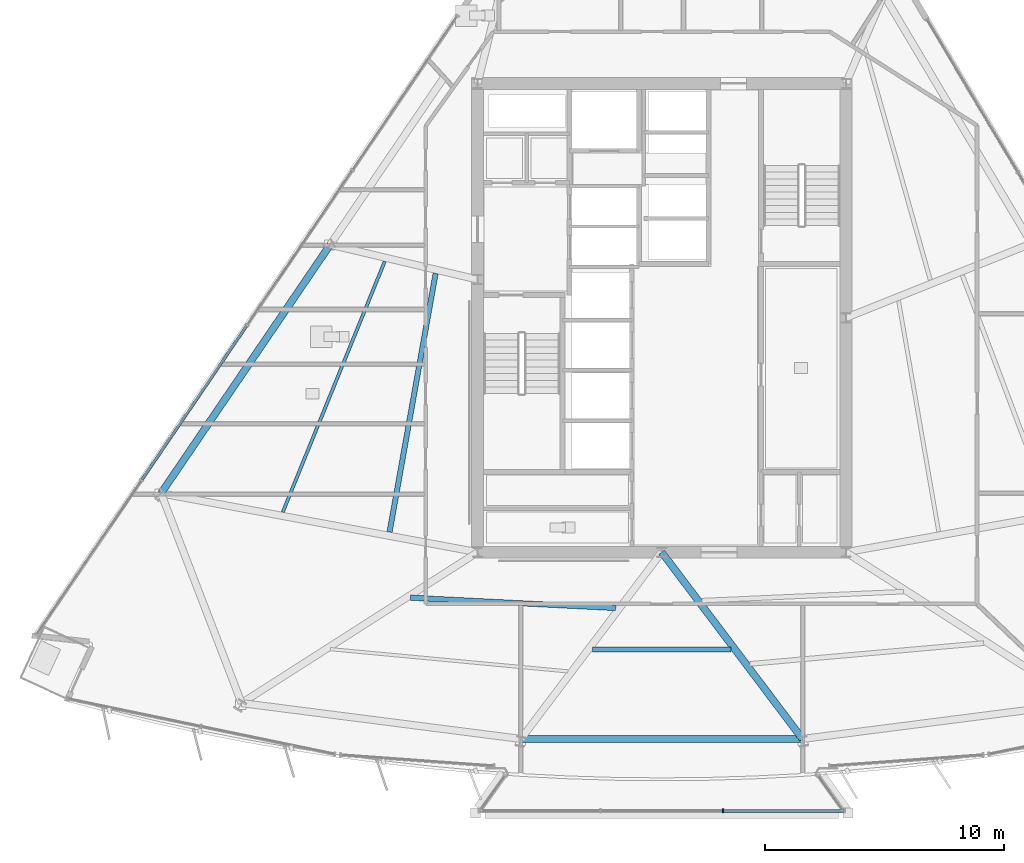
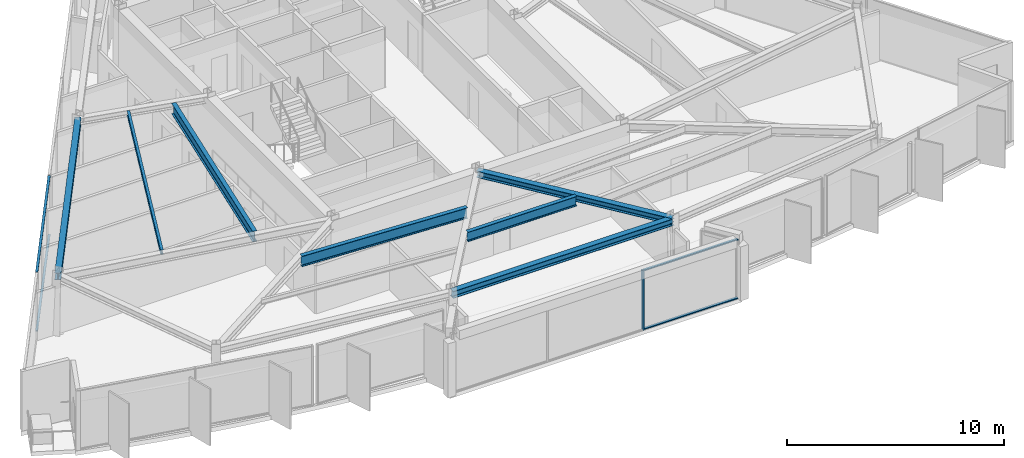
# One storey, part 3 of 15: 7 beams, 5 members, 2 elements without a shape of their own.
"""IFC4 building model written with IfcOpenShell, lengths in metres."""

from ifc_helpers import new_model, si_unit, direction, frame, origin, origin_2d, place, context, subcontext, project, spatial, rectangle, i_section, extrude, material, material_profile, profile_set, type_object, element, aggregate, save


model = new_model("IFC4")

# Units and contexts
model_context = context("Model", 3, precision=1e-05, world=origin(), true_north=direction((0.0, 1.0)))
body_context = subcontext(model_context, "Body", "Model", "MODEL_VIEW")
ifc_project = project(units=[si_unit("LENGTHUNIT", "METRE"), si_unit("AREAUNIT", "SQUARE_METRE"), si_unit("VOLUMEUNIT", "CUBIC_METRE"), si_unit("PLANEANGLEUNIT", "RADIAN"), si_unit("MASSUNIT", "GRAM", prefix="KILO")], contexts=[model_context])

# Site, building, storey
site_placement = place(None, origin())
site = spatial("IfcSite", under=ifc_project, at=site_placement, CompositionType="ELEMENT")
building_placement = place(site_placement, origin())
building = spatial("IfcBuilding", under=site, at=building_placement, Name="Savorim Split Tower", CompositionType="ELEMENT")
storey_placement = place(building_placement, frame((0.0, 0.0, 163.800048828125)))
storey = spatial("IfcBuildingStorey", under=building, at=storey_placement, Name="L43", CompositionType="ELEMENT", Elevation=163.800048828125)

# Beams
ifc_material_1 = material(Name="Steel S355", Category="steel")
ifc_material_profile_1 = material_profile(ifc_material_1, i_section(OverallWidth=0.135009765625, OverallDepth=0.27001953125, WebThickness=0.006591796875, FlangeThickness=0.01025390625, FilletRadius=0.014892578125, at=origin_2d()), Name="IPE 270")
ifc_profile_set_1 = profile_set([ifc_material_profile_1], Name="Steel S355")
beam_type_1 = type_object("IfcBeamType", Name="BM-JST-IPE270", PredefinedType="JOIST", material=ifc_profile_set_1)
beam_1_placement = place(storey_placement, frame((-11.579345703125, 2.756103515625, 3.21484375), z_axis=(-0.37683076392, -0.926282125145, 0.0), x_axis=(0.926282125145, -0.37683076392, 0.0)))
element("IfcBeam", 1, at=beam_1_placement, inside=storey, type_object=beam_type_1, Name="L43 Secondary Floor Joist JS-10", PredefinedType="JOIST", context=body_context, shape_type="SweptSolid", body=[
    extrude(i_section(OverallWidth=0.135009765625, OverallDepth=0.27001953125, WebThickness=0.006591796875, FlangeThickness=0.01025390625, FilletRadius=0.014892578125, at=origin_2d()), origin(), (0.0, 0.0, 1.0), 11.314453125),
])
ifc_material_profile_2 = material_profile(ifc_material_1, i_section(OverallWidth=0.2099609375, OverallDepth=0.550048828125, WebThickness=0.010986328125, FlangeThickness=0.01708984375, FilletRadius=0.02392578125, at=origin_2d()), Name="IPE 550")
ifc_profile_set_2 = profile_set([ifc_material_profile_2], Name="Steel S355")
beam_type_2 = type_object("IfcBeamType", Name="BM-JST-IPE550", PredefinedType="JOIST", material=ifc_profile_set_2)
beam_2_placement = place(storey_placement, frame((-2.90087890625, -13.458740234375, 3.074951171875), z_axis=(1.0, 0.0, 0.0), x_axis=(0.0, 1.0, 0.0)))
element("IfcBeam", 2, at=beam_2_placement, inside=storey, type_object=beam_type_2, Name="L43 Secondary Floor Joist JS-03", PredefinedType="JOIST", context=body_context, shape_type="SweptSolid", body=[
    extrude(i_section(OverallWidth=0.2099609375, OverallDepth=0.550048828125, WebThickness=0.010986328125, FlangeThickness=0.01708984375, FilletRadius=0.02392578125, at=origin_2d()), origin(), (0.0, 0.0, 1.0), 5.8017578125),
])
ifc_material_profile_3 = material_profile(ifc_material_1, i_section(OverallWidth=0.219970703125, OverallDepth=0.60009765625, WebThickness=0.011962890625, FlangeThickness=0.01904296875, FilletRadius=0.02392578125, at=origin_2d()), Name="IPE 600")
ifc_profile_set_3 = profile_set([ifc_material_profile_3], Name="Steel S355")
beam_type_3 = type_object("IfcBeamType", Name="BM-JST-IPE600", PredefinedType="JOIST", material=ifc_profile_set_3)
beam_3_placement = place(storey_placement, frame((-10.498779296875, -11.2998046875, 3.050048828125), z_axis=(0.998723520998, -0.050510678132, 0.0), x_axis=(0.050510678132, 0.998723520998, 0.0)))
element("IfcBeam", 3, at=beam_3_placement, inside=storey, type_object=beam_type_3, Name="L43 Secondary Floor Joist JS-02", PredefinedType="JOIST", context=body_context, shape_type="SweptSolid", body=[
    extrude(i_section(OverallWidth=0.219970703125, OverallDepth=0.60009765625, WebThickness=0.011962890625, FlangeThickness=0.01904296875, FilletRadius=0.02392578125, at=origin_2d()), origin(), (0.0, 0.0, 1.0), 8.584228515625),
])
beam_4_placement = place(storey_placement, frame((-9.452880859375, 2.2509765625, 3.050048828125), z_axis=(-0.175313209888, -0.984512711162, 0.0), x_axis=(0.984512711162, -0.175313209888, 0.0)))
element("IfcBeam", 4, at=beam_4_placement, inside=storey, type_object=beam_type_3, Name="L43 Secondary Floor Joist JS-11", PredefinedType="JOIST", context=body_context, shape_type="SweptSolid", body=[
    extrude(i_section(OverallWidth=0.219970703125, OverallDepth=0.60009765625, WebThickness=0.011962890625, FlangeThickness=0.01904296875, FilletRadius=0.02392578125, at=origin_2d()), origin(), (0.0, 0.0, 1.0), 10.9736328125),
])
ifc_material_profile_4 = material_profile(ifc_material_1, i_section(OverallWidth=0.300048828125, OverallDepth=0.360107421875, WebThickness=0.012451171875, FlangeThickness=0.0224609375, FilletRadius=0.027099609375, at=origin_2d()), Name="HEB 360")
ifc_profile_set_4 = profile_set([ifc_material_profile_4], Name="Steel S355")
beam_type_4 = type_object("IfcBeamType", Name="BM-PRI-HEB360", PredefinedType="BEAM", material=ifc_profile_set_4)
beam_5_placement = place(storey_placement, frame((5.885986328125, -17.205078125, 3.169921875), z_axis=(-0.602099746587, 0.798420875954, 0.0), x_axis=(-0.798420875954, -0.602099746587, 0.0)))
element("IfcBeam", 5, at=beam_5_placement, inside=storey, type_object=beam_type_4, Name="L43 Primary Floor Girder RG-03", PredefinedType="BEAM", context=body_context, shape_type="SweptSolid", body=[
    extrude(i_section(OverallWidth=0.300048828125, OverallDepth=0.360107421875, WebThickness=0.012451171875, FlangeThickness=0.0224609375, FilletRadius=0.027099609375, at=origin_2d()), origin(), (0.0, 0.0, 1.0), 9.77587890625),
])
ifc_material_profile_5 = material_profile(ifc_material_1, i_section(OverallWidth=0.300048828125, OverallDepth=0.389892578125, WebThickness=0.010986328125, FlangeThickness=0.01904296875, FilletRadius=0.027099609375, at=origin_2d()), Name="HEA 400")
ifc_profile_set_5 = profile_set([ifc_material_profile_5], Name="Steel S355")
beam_type_5 = type_object("IfcBeamType", Name="BM-SPN-HEA400", PredefinedType="SPANDREL", material=ifc_profile_set_5)
beam_6_placement = place(storey_placement, frame((-5.885986328125, -17.205078125, 3.155029296875), z_axis=(1.0, 0.0, 0.0), x_axis=(0.0, 1.0, 0.0)))
element("IfcBeam", 6, at=beam_6_placement, inside=storey, type_object=beam_type_5, Name="L43 Perimeter Spandrel Beam 2", PredefinedType="SPANDREL", context=body_context, shape_type="SweptSolid", body=[
    extrude(i_section(OverallWidth=0.300048828125, OverallDepth=0.389892578125, WebThickness=0.010986328125, FlangeThickness=0.01904296875, FilletRadius=0.027099609375, at=origin_2d()), origin(), (0.0, 0.0, 1.0), 11.77197265625),
])
beam_7_placement = place(storey_placement, frame((-13.859619140625, 3.458740234375, 3.155029296875), z_axis=(-0.562468825454, -0.826818493015, 0.0), x_axis=(0.826818493015, -0.562468825454, 0.0)))
element("IfcBeam", 7, at=beam_7_placement, inside=storey, type_object=beam_type_5, Name="L43 Perimeter Spandrel Beam 9", PredefinedType="SPANDREL", context=body_context, shape_type="SweptSolid", body=[
    extrude(i_section(OverallWidth=0.300048828125, OverallDepth=0.389892578125, WebThickness=0.010986328125, FlangeThickness=0.01904296875, FilletRadius=0.027099609375, at=origin_2d()), origin(), (0.0, 0.0, 1.0), 12.572265625),
])

# Curtain wall, member
ifc_material_2 = material(Name="Dark Ceramic-Fritted Insulated Glass", Category="glass")
curtain_wall_type_1 = type_object("IfcCurtainWallType", Name="CW-BAY-LOUNGE", PredefinedType="NOTDEFINED", material=ifc_material_2)
curtain_wall_1_placement = place(storey_placement, origin())
curtain_wall_1 = element("IfcCurtainWall", 8, at=curtain_wall_1_placement, inside=storey, type_object=curtain_wall_type_1, Name="L43 Curtain Wall CW-L43-BAYF", PredefinedType="NOTDEFINED")
ifc_material_3 = material(Name="Charcoal Anodised Aluminium", Category="aluminium")
ifc_material_profile_6 = material_profile(ifc_material_3, rectangle(XDim=0.179931640625, YDim=0.06494140625, at=origin_2d()), Name="ALU-M 180x65")
ifc_profile_set_6 = profile_set([ifc_material_profile_6], Name="Charcoal Anodised Aluminium")
member_type_1 = type_object("IfcMemberType", Name="CWM-180x65", PredefinedType="MULLION", material=ifc_profile_set_6)
member_1_placement = place(storey_placement, frame((2.55615234375, -20.208740234375, 0.0), z_axis=(0.0, 0.0, 1.0), x_axis=(0.0, 1.0, 0.0)))
member_1 = element("IfcMember", 9, at=member_1_placement, type_object=member_type_1, Name="CW-04 mullion 3", PredefinedType="MULLION", context=body_context, shape_type="SweptSolid", body=[
    extrude(rectangle(XDim=0.179931640625, YDim=0.06494140625, at=origin_2d()), origin(), (0.0, 0.0, 1.0), 3.349853515625),
])

# Curtain wall, members
curtain_wall_type_2 = type_object("IfcCurtainWallType", Name="CW-TWR-FRIT-B", PredefinedType="NOTDEFINED", material=ifc_material_2)
curtain_wall_2_placement = place(storey_placement, origin())
curtain_wall_2 = element("IfcCurtainWall", 10, at=curtain_wall_2_placement, inside=storey, type_object=curtain_wall_type_2, Name="L43 Curtain Wall CW-L43-WEST", PredefinedType="NOTDEFINED")
ifc_material_profile_7 = material_profile(ifc_material_3, rectangle(XDim=0.1201171875, YDim=0.050048828125, at=origin_2d()), Name="ALU-T 120x50")
ifc_profile_set_7 = profile_set([ifc_material_profile_7], Name="Charcoal Anodised Aluminium")
member_type_2 = type_object("IfcMemberType", Name="CWT-120x50", PredefinedType="USERDEFINED", material=ifc_profile_set_7)
member_2_placement = place(storey_placement, frame((-17.35302734375, 0.064697265625, 0.02490234375), z_axis=(-0.562475680235, -0.826813829798, 0.0), x_axis=(0.826813829798, -0.562475680235, 0.0)))
member_2 = element("IfcMember", 11, at=member_2_placement, type_object=member_type_2, Name="CW-03 transom 3.1", ObjectType="TRANSOM", PredefinedType="USERDEFINED", context=body_context, shape_type="SweptSolid", body=[
    extrude(rectangle(XDim=0.1201171875, YDim=0.050048828125, at=origin_2d()), origin(), (0.0, 0.0, 1.0), 7.779296875),
])
member_3_placement = place(storey_placement, frame((-17.35302734375, 0.064697265625, 3.324951171875), z_axis=(-0.562475680235, -0.826813829798, 0.0), x_axis=(0.826813829798, -0.562475680235, 0.0)))
member_3 = element("IfcMember", 12, at=member_3_placement, type_object=member_type_2, Name="CW-03 transom 3.2", ObjectType="TRANSOM", PredefinedType="USERDEFINED", context=body_context, shape_type="SweptSolid", body=[
    extrude(rectangle(XDim=0.1201171875, YDim=0.050048828125, at=origin_2d()), origin(), (0.0, 0.0, 1.0), 7.779296875),
])
aggregate(curtain_wall_2, [member_2, member_3])

# Member
ifc_material_profile_8 = material_profile(ifc_material_3, rectangle(XDim=0.139892578125, YDim=0.054931640625, at=origin_2d()), Name="ALU-T 140x55")
ifc_profile_set_8 = profile_set([ifc_material_profile_8], Name="Charcoal Anodised Aluminium")
member_type_3 = type_object("IfcMemberType", Name="CWT-140x55", PredefinedType="USERDEFINED", material=ifc_profile_set_8)
member_4_placement = place(storey_placement, frame((2.588623046875, -20.208740234375, 0.02734375), z_axis=(1.0, 0.0, 0.0), x_axis=(0.0, 1.0, 0.0)))
member_4 = element("IfcMember", 13, at=member_4_placement, type_object=member_type_3, Name="CW-04 transom 3.1", ObjectType="TRANSOM", PredefinedType="USERDEFINED", context=body_context, shape_type="SweptSolid", body=[
    extrude(rectangle(XDim=0.139892578125, YDim=0.054931640625, at=origin_2d()), origin(), (0.0, 0.0, 1.0), 5.014892578125),
])

member_5_placement = place(storey_placement, frame((2.588623046875, -20.208740234375, 3.322509765625), z_axis=(1.0, 0.0, 0.0), x_axis=(0.0, 1.0, 0.0)))
member_5 = element("IfcMember", 14, at=member_5_placement, type_object=member_type_3, Name="CW-04 transom 3.2", ObjectType="TRANSOM", PredefinedType="USERDEFINED", context=body_context, shape_type="SweptSolid", body=[
    extrude(rectangle(XDim=0.139892578125, YDim=0.054931640625, at=origin_2d()), origin(), (0.0, 0.0, 1.0), 5.014892578125),
])

aggregate(curtain_wall_1, [member_1, member_4, member_5])

save(model, "model.ifc")
